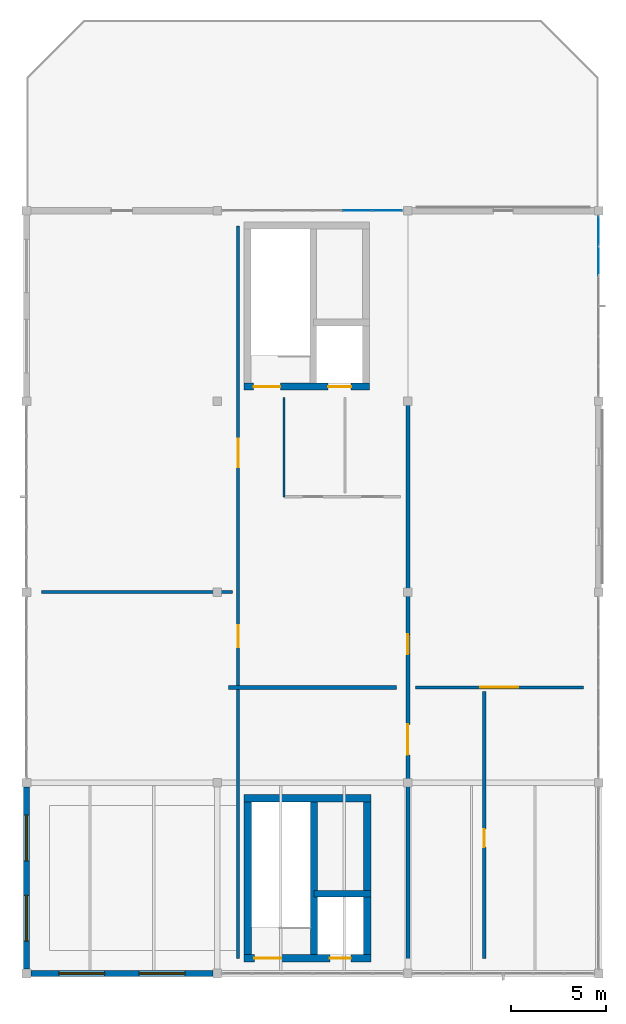
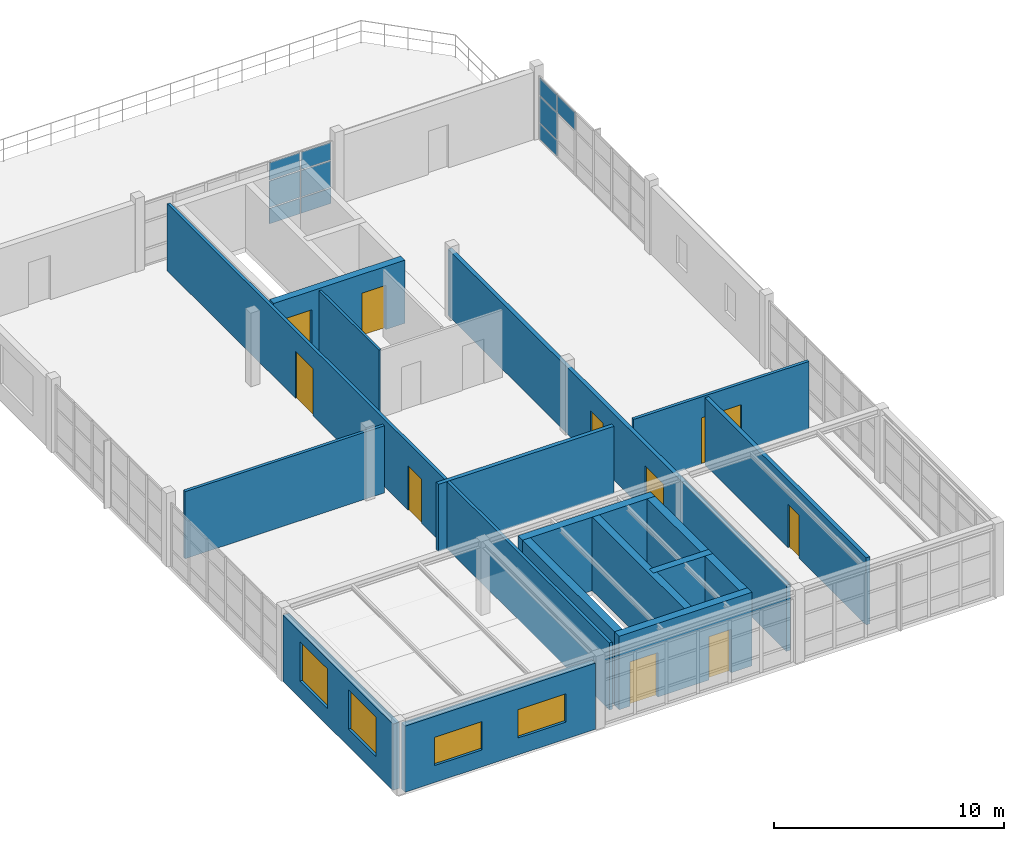
# One storey, part 9 of 11: 16 walls, 10 doors, 10 plates, 4 windows, 14 openings, 2 elements without a shape of their own.
"""IFC4 building model written with IfcOpenShell, lengths in metres."""

from ifc_helpers import new_model, si_unit, direction, frame, frame_2d, origin, origin_2d, place, context, subcontext, project, spatial, rectangle, extrude, material, layer, layer_set, type_object, element, fill, aggregate, save


model = new_model("IFC4")

# Units and contexts
model_context = context("Model", 3, precision=1e-05, world=origin(), true_north=direction((0.0, 1.0)))
body_context = subcontext(model_context, "Body", "Model", "MODEL_VIEW")
ifc_project = project(units=[si_unit("LENGTHUNIT", "METRE"), si_unit("AREAUNIT", "SQUARE_METRE"), si_unit("VOLUMEUNIT", "CUBIC_METRE"), si_unit("PLANEANGLEUNIT", "RADIAN"), si_unit("MASSUNIT", "GRAM", prefix="KILO"), si_unit("THERMODYNAMICTEMPERATUREUNIT", "KELVIN"), si_unit("POWERUNIT", "WATT")], contexts=[model_context])

# Site, building, storey
site_placement = place(None, origin())
site = spatial("IfcSite", under=ifc_project, at=site_placement, CompositionType="ELEMENT")
building_placement = place(site_placement, origin())
building = spatial("IfcBuilding", under=site, at=building_placement, Name="Korenveer Ferry Terminal", CompositionType="ELEMENT")
storey_placement = place(building_placement, frame((0.0, 0.0, 18.300048828125)))
storey = spatial("IfcBuildingStorey", under=building, at=storey_placement, Name="L04", CompositionType="ELEMENT", Elevation=18.300048828125)

# Curtain wall, plates
ifc_material_1 = material(Name="Unitised bronze-and-glass curtain wall", Category="glass")
ifc_layer_1 = layer(ifc_material_1, 0.159912109375)
ifc_layer_set_1 = layer_set([ifc_layer_1], Name="Unitised bronze-and-glass curtain wall")
curtain_wall_type = type_object("IfcCurtainWallType", Name="ENV-CW-131", PredefinedType="USERDEFINED", material=ifc_layer_set_1)
curtain_wall_1_placement = place(storey_placement, frame((10.2548828125, 60.0, 0.0)))
curtain_wall_1 = element("IfcCurtainWall", 1, at=curtain_wall_1_placement, inside=storey, type_object=curtain_wall_type, Name="Lancet curtain wall CWX-L04-X10-20-Y60-60", ObjectType="UNITISED CURTAIN WALL", PredefinedType="USERDEFINED")
ifc_material_2 = material(Name="Low-iron solar-control double glazing", Category="glass")
ifc_layer_2 = layer(ifc_material_2, 0.028076171875)
ifc_layer_set_2 = layer_set([ifc_layer_2], Name="Low-iron solar-control double glazing")
plate_type = type_object("IfcPlateType", Name="ENV-CWP-GLZ28", PredefinedType="CURTAIN_PANEL", material=ifc_layer_set_2)
plate_1_placement = place(storey_placement, frame((17.37255859375, 60.0, 0.059814453125), z_axis=(0.0, 0.0, 1.0), x_axis=(1.0, 0.0, 0.0)))
plate_1 = element("IfcPlate", 2, at=plate_1_placement, type_object=plate_type, Name="CW-131 panel 5.1", PredefinedType="CURTAIN_PANEL", context=body_context, shape_type="SweptSolid", body=[
    extrude(rectangle(XDim=1.521728515625, YDim=0.028076171875, at=origin_2d()), origin(), (0.0, 0.0, 1.0), 0.81005859375),
])
plate_2_placement = place(storey_placement, frame((17.37255859375, 60.0, 0.93017578125), z_axis=(0.0, 0.0, 1.0), x_axis=(1.0, 0.0, 0.0)))
plate_2 = element("IfcPlate", 3, at=plate_2_placement, type_object=plate_type, Name="CW-131 panel 5.2", PredefinedType="CURTAIN_PANEL", context=body_context, shape_type="SweptSolid", body=[
    extrude(rectangle(XDim=1.521728515625, YDim=0.028076171875, at=origin_2d()), origin(), (0.0, 0.0, 1.0), 1.389892578125),
])
plate_3_placement = place(storey_placement, frame((17.37255859375, 60.0, 2.3798828125), z_axis=(0.0, 0.0, 1.0), x_axis=(1.0, 0.0, 0.0)))
plate_3 = element("IfcPlate", 4, at=plate_3_placement, type_object=plate_type, Name="CW-131 panel 5.3", PredefinedType="CURTAIN_PANEL", context=body_context, shape_type="SweptSolid", body=[
    extrude(rectangle(XDim=1.521728515625, YDim=0.028076171875, at=origin_2d()), origin(), (0.0, 0.0, 1.0), 0.919921875),
])
plate_4_placement = place(storey_placement, frame((18.939208984375, 60.0, 0.059814453125), z_axis=(0.0, 0.0, 1.0), x_axis=(1.0, 0.0, 0.0)))
plate_4 = element("IfcPlate", 5, at=plate_4_placement, type_object=plate_type, Name="CW-131 panel 6.1", PredefinedType="CURTAIN_PANEL", context=body_context, shape_type="SweptSolid", body=[
    extrude(rectangle(XDim=1.49169921875, YDim=0.028076171875, at=origin_2d()), origin(), (0.0, 0.0, 1.0), 0.81005859375),
])
plate_5_placement = place(storey_placement, frame((18.939208984375, 60.0, 0.93017578125), z_axis=(0.0, 0.0, 1.0), x_axis=(1.0, 0.0, 0.0)))
plate_5 = element("IfcPlate", 6, at=plate_5_placement, type_object=plate_type, Name="CW-131 panel 6.2", PredefinedType="CURTAIN_PANEL", context=body_context, shape_type="SweptSolid", body=[
    extrude(rectangle(XDim=1.49169921875, YDim=0.028076171875, at=origin_2d()), origin(), (0.0, 0.0, 1.0), 1.389892578125),
])
plate_6_placement = place(storey_placement, frame((18.939208984375, 60.0, 2.3798828125), z_axis=(0.0, 0.0, 1.0), x_axis=(1.0, 0.0, 0.0)))
plate_6 = element("IfcPlate", 7, at=plate_6_placement, type_object=plate_type, Name="CW-131 panel 6.3", PredefinedType="CURTAIN_PANEL", context=body_context, shape_type="SweptSolid", body=[
    extrude(rectangle(XDim=1.49169921875, YDim=0.028076171875, at=origin_2d()), origin(), (0.0, 0.0, 1.0), 0.919921875),
])
aggregate(curtain_wall_1, [plate_1, plate_2, plate_3, plate_4, plate_5, plate_6])

curtain_wall_2_placement = place(storey_placement, frame((30.0, 59.7451171875, 0.0)))
curtain_wall_2 = element("IfcCurtainWall", 8, at=curtain_wall_2_placement, inside=storey, type_object=curtain_wall_type, Name="Lancet curtain wall CWX-L04-X30-30-Y50-60", ObjectType="UNITISED CURTAIN WALL", PredefinedType="USERDEFINED")
plate_7_placement = place(storey_placement, frame((30.0, 58.939208984375, 0.059814453125), z_axis=(0.0, 0.0, 1.0), x_axis=(0.0, -1.0, 0.0)))
plate_7 = element("IfcPlate", 9, at=plate_7_placement, type_object=plate_type, Name="CW-131 panel 1.1", PredefinedType="CURTAIN_PANEL", context=body_context, shape_type="SweptSolid", body=[
    extrude(rectangle(XDim=1.49169921875, YDim=0.028076171875, at=origin_2d()), origin(), (0.0, 0.0, 1.0), 0.81005859375),
])
plate_8_placement = place(storey_placement, frame((30.0, 58.939208984375, 0.93017578125), z_axis=(0.0, 0.0, 1.0), x_axis=(0.0, -1.0, 0.0)))
plate_8 = element("IfcPlate", 10, at=plate_8_placement, type_object=plate_type, Name="CW-131 panel 1.2", PredefinedType="CURTAIN_PANEL", context=body_context, shape_type="SweptSolid", body=[
    extrude(rectangle(XDim=1.49169921875, YDim=0.028076171875, at=origin_2d()), origin(), (0.0, 0.0, 1.0), 1.389892578125),
])
plate_9_placement = place(storey_placement, frame((30.0, 58.939208984375, 2.3798828125), z_axis=(0.0, 0.0, 1.0), x_axis=(0.0, -1.0, 0.0)))
plate_9 = element("IfcPlate", 11, at=plate_9_placement, type_object=plate_type, Name="CW-131 panel 1.3", PredefinedType="CURTAIN_PANEL", context=body_context, shape_type="SweptSolid", body=[
    extrude(rectangle(XDim=1.49169921875, YDim=0.028076171875, at=origin_2d()), origin(), (0.0, 0.0, 1.0), 0.919921875),
])
plate_10_placement = place(storey_placement, frame((30.0, 57.37255859375, 2.3798828125), z_axis=(0.0, 0.0, 1.0), x_axis=(0.0, -1.0, 0.0)))
plate_10 = element("IfcPlate", 12, at=plate_10_placement, type_object=plate_type, Name="CW-131 panel 2.3", PredefinedType="CURTAIN_PANEL", context=body_context, shape_type="SweptSolid", body=[
    extrude(rectangle(XDim=1.521728515625, YDim=0.028076171875, at=origin_2d()), origin(), (0.0, 0.0, 1.0), 0.919921875),
])
aggregate(curtain_wall_2, [plate_7, plate_8, plate_9, plate_10])

# Wall, openings, windows
ifc_material_3 = material(Name="Insulated zinc-clad cassette wall", Category="masonry")
ifc_layer_3 = layer(ifc_material_3, 0.320068359375)
ifc_layer_set_3 = layer_set([ifc_layer_3], Name="Insulated zinc-clad cassette wall")
wall_type_1 = type_object("IfcWallType", Name="ENV-WL-CLD320", PredefinedType="SOLIDWALL", material=ifc_layer_set_3)
wall_1_placement = place(storey_placement, frame((0.22509765625, 20.0, 0.0), z_axis=(0.0, 0.0, 1.0), x_axis=(1.0, 0.0, 0.0)))
wall_1 = element("IfcWall", 13, at=wall_1_placement, inside=storey, type_object=wall_type_1, Name="Exterior facade wall EWL-L04-074", PredefinedType="SOLIDWALL", context=body_context, shape_type="SweptSolid", body=[
    extrude(rectangle(XDim=9.5498046875, YDim=0.320068359375, at=frame_2d((4.77490234375, 0.0))), origin(), (0.0, 0.0, 1.0), 3.510009765625),
])
opening_1_placement = place(wall_1_placement, frame((1.47412109375, 0.0, 0.89990234375)))
opening_1 = element("IfcOpeningElement", 14, at=opening_1_placement, cuts=wall_1, Name="Opening WN-29", PredefinedType="OPENING", context=body_context, shape_type="SweptSolid", body=[
    extrude(rectangle(XDim=2.39990234375, YDim=1.5, at=frame_2d((1.199951171875, 0.75))), frame((0.0, 0.169921875, 0.0), z_axis=(0.0, -1.0, 0.0), x_axis=(1.0, 0.0, 0.0)), (0.0, 0.0, 1.0), 0.340087890625),
])
opening_2_placement = place(wall_1_placement, frame((5.676025390625, 0.0, 0.89990234375)))
opening_2 = element("IfcOpeningElement", 15, at=opening_2_placement, cuts=wall_1, Name="Opening WN-29", PredefinedType="OPENING", context=body_context, shape_type="SweptSolid", body=[
    extrude(rectangle(XDim=2.39990234375, YDim=1.5, at=frame_2d((1.199951171875, 0.75))), frame((0.0, 0.169921875, 0.0), z_axis=(0.0, -1.0, 0.0), x_axis=(1.0, 0.0, 0.0)), (0.0, 0.0, 1.0), 0.340087890625),
])
ifc_material_4 = material(Name="Low-iron triple glazing in bronze frame", Category="glass")
window_type_1 = type_object("IfcWindowType", Name="ENV-WN-29", PartitioningType="SINGLE_PANEL", PredefinedType="WINDOW", material=ifc_material_4)
window_1_placement = place(opening_1_placement, origin())
window_1 = element("IfcWindow", 16, at=window_1_placement, inside=storey, type_object=window_type_1, Name="Lancet facade window 93", OverallHeight=1.5, OverallWidth=2.39990234375, PartitioningType="SINGLE_PANEL", PredefinedType="WINDOW", context=body_context, shape_type="SweptSolid", body=[
    extrude(rectangle(XDim=2.39990234375, YDim=1.5, at=frame_2d((1.199951171875, 0.75))), frame((0.0, 0.030029296875, 0.0), z_axis=(0.0, -1.0, 0.0), x_axis=(1.0, 0.0, 0.0)), (0.0, 0.0, 1.0), 0.06005859375),
])
fill(opening_1, window_1)
window_2_placement = place(opening_2_placement, origin())
window_2 = element("IfcWindow", 17, at=window_2_placement, inside=storey, type_object=window_type_1, Name="Lancet facade window 94", OverallHeight=1.5, OverallWidth=2.39990234375, PartitioningType="SINGLE_PANEL", PredefinedType="WINDOW", context=body_context, shape_type="SweptSolid", body=[
    extrude(rectangle(XDim=2.39990234375, YDim=1.5, at=frame_2d((1.199951171875, 0.75))), frame((0.0, 0.030029296875, 0.0), z_axis=(0.0, -1.0, 0.0), x_axis=(1.0, 0.0, 0.0)), (0.0, 0.0, 1.0), 0.06005859375),
])
fill(opening_2, window_2)

wall_2_placement = place(storey_placement, frame((0.0, 20.22509765625, 0.0), z_axis=(0.0, 0.0, 1.0), x_axis=(0.0, 1.0, 0.0)))
wall_2 = element("IfcWall", 18, at=wall_2_placement, inside=storey, type_object=wall_type_1, Name="Exterior facade wall EWL-L04-077", PredefinedType="SOLIDWALL", context=body_context, shape_type="SweptSolid", body=[
    extrude(rectangle(XDim=9.5498046875, YDim=0.320068359375, at=frame_2d((4.77490234375, 0.0))), origin(), (0.0, 0.0, 1.0), 3.510009765625),
])
opening_3_placement = place(wall_2_placement, frame((1.47412109375, 0.0, 0.89990234375)))
opening_3 = element("IfcOpeningElement", 19, at=opening_3_placement, cuts=wall_2, Name="Opening WN-31", PredefinedType="OPENING", context=body_context, shape_type="SweptSolid", body=[
    extrude(rectangle(XDim=2.39990234375, YDim=2.10009765625, at=frame_2d((1.199951171875, 1.050048828125))), frame((0.0, 0.169921875, 0.0), z_axis=(0.0, -1.0, 0.0), x_axis=(1.0, 0.0, 0.0)), (0.0, 0.0, 1.0), 0.340087890625),
])
opening_4_placement = place(wall_2_placement, frame((5.676025390625, 0.0, 0.89990234375)))
opening_4 = element("IfcOpeningElement", 20, at=opening_4_placement, cuts=wall_2, Name="Opening WN-31", PredefinedType="OPENING", context=body_context, shape_type="SweptSolid", body=[
    extrude(rectangle(XDim=2.39990234375, YDim=2.10009765625, at=frame_2d((1.199951171875, 1.050048828125))), frame((0.0, 0.169921875, 0.0), z_axis=(0.0, -1.0, 0.0), x_axis=(1.0, 0.0, 0.0)), (0.0, 0.0, 1.0), 0.340087890625),
])
window_type_2 = type_object("IfcWindowType", Name="ENV-WN-31", PartitioningType="SINGLE_PANEL", PredefinedType="WINDOW", material=ifc_material_4)
window_3_placement = place(opening_3_placement, origin())
window_3 = element("IfcWindow", 21, at=window_3_placement, inside=storey, type_object=window_type_2, Name="Lancet facade window 95", OverallHeight=2.10009765625, OverallWidth=2.39990234375, PartitioningType="SINGLE_PANEL", PredefinedType="WINDOW", context=body_context, shape_type="SweptSolid", body=[
    extrude(rectangle(XDim=2.39990234375, YDim=2.10009765625, at=frame_2d((1.199951171875, 1.050048828125))), frame((0.0, 0.030029296875, 0.0), z_axis=(0.0, -1.0, 0.0), x_axis=(1.0, 0.0, 0.0)), (0.0, 0.0, 1.0), 0.06005859375),
])
fill(opening_3, window_3)
window_4_placement = place(opening_4_placement, origin())
window_4 = element("IfcWindow", 22, at=window_4_placement, inside=storey, type_object=window_type_2, Name="Lancet facade window 96", OverallHeight=2.10009765625, OverallWidth=2.39990234375, PartitioningType="SINGLE_PANEL", PredefinedType="WINDOW", context=body_context, shape_type="SweptSolid", body=[
    extrude(rectangle(XDim=2.39990234375, YDim=2.10009765625, at=frame_2d((1.199951171875, 1.050048828125))), frame((0.0, 0.030029296875, 0.0), z_axis=(0.0, -1.0, 0.0), x_axis=(1.0, 0.0, 0.0)), (0.0, 0.0, 1.0), 0.06005859375),
])
fill(opening_4, window_4)

# Wall, openings, doors
ifc_material_5 = material(Name="Acoustic fire-rated twin-stud partition", Category="other")
ifc_layer_4 = layer(ifc_material_5, 0.199951171875)
ifc_layer_set_4 = layer_set([ifc_layer_4], Name="Acoustic fire-rated twin-stud partition")
wall_type_2 = type_object("IfcWallType", Name="INT-WL-COMP200", PredefinedType="PARTITIONING", material=ifc_layer_set_4)
wall_3_placement = place(storey_placement, frame((20.0, 20.800048828125, 0.0), z_axis=(0.0, 0.0, 1.0), x_axis=(0.0, 1.0, 0.0)))
wall_3 = element("IfcWall", 23, at=wall_3_placement, inside=storey, type_object=wall_type_2, Name="Interior partition PWL-L04-059", PredefinedType="PARTITIONING", context=body_context, shape_type="SweptSolid", body=[
    extrude(rectangle(XDim=29.39990234375, YDim=0.199951171875, at=frame_2d((14.699951171875, 0.0))), origin(), (0.0, 0.0, 1.0), 3.510009765625),
])
opening_5_placement = place(wall_3_placement, frame((10.666015625, 0.0, 0.0)))
opening_5 = element("IfcOpeningElement", 24, at=opening_5_placement, cuts=wall_3, Name="Opening ID-072", PredefinedType="OPENING", context=body_context, shape_type="SweptSolid", body=[
    extrude(rectangle(XDim=1.60009765625, YDim=2.39990234375, at=frame_2d((0.800048828125, 1.199951171875))), frame((0.0, 0.10986328125, 0.0), z_axis=(0.0, -1.0, 0.0), x_axis=(1.0, 0.0, 0.0)), (0.0, 0.0, 1.0), 0.219970703125),
])
opening_6_placement = place(wall_3_placement, frame((15.93896484375, 0.0, 0.0)))
opening_6 = element("IfcOpeningElement", 25, at=opening_6_placement, cuts=wall_3, Name="Opening ID-073", PredefinedType="OPENING", context=body_context, shape_type="SweptSolid", body=[
    extrude(rectangle(XDim=1.050048828125, YDim=2.449951171875, at=frame_2d((0.52490234375, 1.22509765625))), frame((0.0, 0.10986328125, 0.0), z_axis=(0.0, -1.0, 0.0), x_axis=(1.0, 0.0, 0.0)), (0.0, 0.0, 1.0), 0.219970703125),
])
ifc_material_6 = material(Name="Solid hardwood and steel acoustic door", Category="steel")
door_type_1 = type_object("IfcDoorType", Name="INT-DR-FFL160", OperationType="DOUBLE_DOOR_SINGLE_SWING", PredefinedType="DOOR", material=ifc_material_6)
door_1_placement = place(opening_5_placement, origin())
door_1 = element("IfcDoor", 26, at=door_1_placement, inside=storey, type_object=door_type_1, Name="L04 West Firefighting Lobby Door", OperationType="DOUBLE_DOOR_SINGLE_SWING", OverallHeight=2.39990234375, OverallWidth=1.60009765625, PredefinedType="DOOR", context=body_context, shape_type="SweptSolid", body=[
    extrude(rectangle(XDim=1.60009765625, YDim=2.39990234375, at=frame_2d((0.800048828125, 1.199951171875))), frame((0.0, 0.02490234375, 0.0), z_axis=(0.0, -1.0, 0.0), x_axis=(1.0, 0.0, 0.0)), (0.0, 0.0, 1.0), 0.050048828125),
])
fill(opening_5, door_1)
door_type_2 = type_object("IfcDoorType", Name="INT-DR-RM105B", OperationType="NOTDEFINED", PredefinedType="DOOR", material=ifc_material_6)
door_2_placement = place(opening_6_placement, origin())
door_2 = element("IfcDoor", 27, at=door_2_placement, inside=storey, type_object=door_type_2, Name="Maritime Archive Chart Room Door", OperationType="SINGLE_SWING_LEFT", OverallHeight=2.449951171875, OverallWidth=1.050048828125, PredefinedType="DOOR", context=body_context, shape_type="SweptSolid", body=[
    extrude(rectangle(XDim=1.050048828125, YDim=2.449951171875, at=frame_2d((0.52490234375, 1.22509765625))), frame((0.0, 0.02490234375, 0.0), z_axis=(0.0, -1.0, 0.0), x_axis=(1.0, 0.0, 0.0)), (0.0, 0.0, 1.0), 0.050048828125),
])
fill(opening_6, door_2)

# Wall
wall_4_placement = place(storey_placement, frame((10.60009765625, 35.0, 0.0), z_axis=(0.0, 0.0, 1.0), x_axis=(1.0, 0.0, 0.0)))
element("IfcWall", 28, at=wall_4_placement, inside=storey, type_object=wall_type_2, Name="Interior partition PWL-L04-062", PredefinedType="PARTITIONING", context=body_context, shape_type="SweptSolid", body=[
    extrude(rectangle(XDim=8.7998046875, YDim=0.199951171875, at=frame_2d((4.39990234375, 0.0))), origin(), (0.0, 0.0, 1.0), 3.56005859375),
])

# Wall, opening, door
wall_5_placement = place(storey_placement, frame((24.0, 20.800048828125, 0.0), z_axis=(0.0, 0.0, 1.0), x_axis=(0.0, 1.0, 0.0)))
wall_5 = element("IfcWall", 29, at=wall_5_placement, inside=storey, type_object=wall_type_2, Name="Interior partition PWL-L04-066", PredefinedType="PARTITIONING", context=body_context, shape_type="SweptSolid", body=[
    extrude(rectangle(XDim=14.0, YDim=0.199951171875, at=frame_2d((7.0, 0.0))), origin(), (0.0, 0.0, 1.0), 3.56005859375),
])
opening_7_placement = place(wall_5_placement, frame((5.824951171875, 0.0, 0.0)))
opening_7 = element("IfcOpeningElement", 30, at=opening_7_placement, cuts=wall_5, Name="Opening ID-078", PredefinedType="OPENING", context=body_context, shape_type="SweptSolid", body=[
    extrude(rectangle(XDim=0.949951171875, YDim=2.300048828125, at=frame_2d((0.47509765625, 1.14990234375))), frame((0.0, 0.10986328125, 0.0), z_axis=(0.0, -1.0, 0.0), x_axis=(1.0, 0.0, 0.0)), (0.0, 0.0, 1.0), 0.219970703125),
])
door_type_3 = type_object("IfcDoorType", Name="INT-DR-RM095A", OperationType="NOTDEFINED", PredefinedType="DOOR", material=ifc_material_6)
door_3_placement = place(opening_7_placement, origin())
door_3 = element("IfcDoor", 31, at=door_3_placement, inside=storey, type_object=door_type_3, Name="Navigation Radar Room Door", OperationType="SINGLE_SWING_LEFT", OverallHeight=2.300048828125, OverallWidth=0.949951171875, PredefinedType="DOOR", context=body_context, shape_type="SweptSolid", body=[
    extrude(rectangle(XDim=0.949951171875, YDim=2.300048828125, at=frame_2d((0.47509765625, 1.14990234375))), frame((0.0, 0.02490234375, 0.0), z_axis=(0.0, -1.0, 0.0), x_axis=(1.0, 0.0, 0.0)), (0.0, 0.0, 1.0), 0.050048828125),
])
fill(opening_7, door_3)

# Walls
ifc_material_7 = material(Name="Concrete C45/55", Category="concrete")
ifc_layer_5 = layer(ifc_material_7, 0.360107421875)
ifc_layer_set_5 = layer_set([ifc_layer_5], Name="Concrete C45/55")
wall_type_3 = type_object("IfcWallType", Name="INT-WL-CORE360", PredefinedType="SHEAR", material=ifc_layer_set_5)
wall_6_placement = place(storey_placement, frame((15.080078125, 20.60009765625, 0.0), z_axis=(0.0, 0.0, 1.0), x_axis=(0.0, 1.0, 0.0)))
element("IfcWall", 32, at=wall_6_placement, inside=storey, type_object=wall_type_3, Name="West Firefighting Core K1 shaft divider wall L04", PredefinedType="SHEAR", context=body_context, shape_type="SweptSolid", body=[
    extrude(rectangle(XDim=8.7998046875, YDim=0.360107421875, at=frame_2d((4.39990234375, 0.0))), origin(), (0.0, 0.0, 1.0), 3.89990234375),
])
wall_7_placement = place(storey_placement, frame((15.080078125, 24.179931640625, 0.0), z_axis=(0.0, 0.0, 1.0), x_axis=(1.0, 0.0, 0.0)))
element("IfcWall", 33, at=wall_7_placement, inside=storey, type_object=wall_type_3, Name="West Firefighting Core K1 lift shaft wall L04", PredefinedType="SHEAR", context=body_context, shape_type="SweptSolid", body=[
    extrude(rectangle(XDim=2.97998046875, YDim=0.360107421875, at=frame_2d((1.489990234375, 0.0))), origin(), (0.0, 0.0, 1.0), 3.89990234375),
])

# Wall, openings, doors
wall_8_placement = place(storey_placement, frame((11.39990234375, 50.780029296875, 0.0), z_axis=(0.0, 0.0, 1.0), x_axis=(1.0, 0.0, 0.0)))
wall_8 = element("IfcWall", 34, at=wall_8_placement, inside=storey, type_object=wall_type_3, Name="West Operations Core K2 south shear wall L04", PredefinedType="SHEAR", context=body_context, shape_type="SweptSolid", body=[
    extrude(rectangle(XDim=6.580078125, YDim=0.360107421875, at=frame_2d((3.2900390625, 0.0))), origin(), (0.0, 0.0, 1.0), 3.349853515625),
])
opening_8_placement = place(wall_8_placement, frame((0.510009765625, 0.0, 0.0)))
opening_8 = element("IfcOpeningElement", 35, at=opening_8_placement, cuts=wall_8, Name="Opening SD-10", PredefinedType="OPENING", context=body_context, shape_type="SweptSolid", body=[
    extrude(rectangle(XDim=1.39990234375, YDim=2.35009765625, at=frame_2d((0.699951171875, 1.175048828125))), frame((0.0, 0.18994140625, 0.0), z_axis=(0.0, -1.0, 0.0), x_axis=(1.0, 0.0, 0.0)), (0.0, 0.0, 1.0), 0.380126953125),
])
opening_9_placement = place(wall_8_placement, frame((4.419921875, 0.0, 0.0)))
opening_9 = element("IfcOpeningElement", 36, at=opening_9_placement, cuts=wall_8, Name="Opening LD-10", PredefinedType="OPENING", context=body_context, shape_type="SweptSolid", body=[
    extrude(rectangle(XDim=1.199951171875, YDim=2.35009765625, at=frame_2d((0.60009765625, 1.175048828125))), frame((0.0, 0.18994140625, 0.0), z_axis=(0.0, -1.0, 0.0), x_axis=(1.0, 0.0, 0.0)), (0.0, 0.0, 1.0), 0.380126953125),
])
door_type_4 = type_object("IfcDoorType", Name="INT-DR-LD120", OperationType="SLIDING_TO_LEFT", PredefinedType="DOOR", material=ifc_material_6)
door_4_placement = place(opening_9_placement, origin())
door_4 = element("IfcDoor", 37, at=door_4_placement, inside=storey, type_object=door_type_4, Name="Lift LP1 Sliding Landing Door L04", OperationType="SLIDING_TO_LEFT", OverallHeight=2.35009765625, OverallWidth=1.199951171875, PredefinedType="DOOR", context=body_context, shape_type="SweptSolid", body=[
    extrude(rectangle(XDim=1.199951171875, YDim=2.35009765625, at=frame_2d((0.60009765625, 1.175048828125))), frame((0.0, 0.02490234375, 0.0), z_axis=(0.0, -1.0, 0.0), x_axis=(1.0, 0.0, 0.0)), (0.0, 0.0, 1.0), 0.050048828125),
])
fill(opening_9, door_4)
door_type_5 = type_object("IfcDoorType", Name="INT-DR-ST140", OperationType="NOTDEFINED", PredefinedType="DOOR", material=ifc_material_6)
door_5_placement = place(opening_8_placement, origin())
door_5 = element("IfcDoor", 38, at=door_5_placement, inside=storey, type_object=door_type_5, Name="ST02 Stair Door L04", OperationType="SINGLE_SWING_RIGHT", OverallHeight=2.35009765625, OverallWidth=1.39990234375, PredefinedType="DOOR", context=body_context, shape_type="SweptSolid", body=[
    extrude(rectangle(XDim=1.39990234375, YDim=2.35009765625, at=frame_2d((0.699951171875, 1.175048828125))), frame((0.0, 0.02490234375, 0.0), z_axis=(0.0, -1.0, 0.0), x_axis=(1.0, 0.0, 0.0)), (0.0, 0.0, 1.0), 0.050048828125),
])
fill(opening_8, door_5)

ifc_layer_6 = layer(ifc_material_7, 0.39990234375)
ifc_layer_set_6 = layer_set([ifc_layer_6], Name="Concrete C45/55")
wall_type_4 = type_object("IfcWallType", Name="INT-WL-CORE400", PredefinedType="SHEAR", material=ifc_layer_set_6)
wall_9_placement = place(storey_placement, frame((11.39990234375, 20.800048828125, 0.0), z_axis=(0.0, 0.0, 1.0), x_axis=(1.0, 0.0, 0.0)))
wall_9 = element("IfcWall", 39, at=wall_9_placement, inside=storey, type_object=wall_type_4, Name="West Firefighting Core K1 south shear wall L04", PredefinedType="SHEAR", context=body_context, shape_type="SweptSolid", body=[
    extrude(rectangle(XDim=6.66015625, YDim=0.39990234375, at=frame_2d((3.330078125, 0.0))), origin(), (0.0, 0.0, 1.0), 3.89990234375),
])
opening_10_placement = place(wall_9_placement, frame((0.550048828125, 0.0, 0.0)))
opening_10 = element("IfcOpeningElement", 40, at=opening_10_placement, cuts=wall_9, Name="Opening SD-05", PredefinedType="OPENING", context=body_context, shape_type="SweptSolid", body=[
    extrude(rectangle(XDim=1.39990234375, YDim=2.35009765625, at=frame_2d((0.699951171875, 1.175048828125))), frame((0.0, 0.2099609375, 0.0), z_axis=(0.0, -1.0, 0.0), x_axis=(1.0, 0.0, 0.0)), (0.0, 0.0, 1.0), 0.419921875),
])
opening_11_placement = place(wall_9_placement, frame((4.510009765625, 0.0, 0.0)))
opening_11 = element("IfcOpeningElement", 41, at=opening_11_placement, cuts=wall_9, Name="Opening LD-05", PredefinedType="OPENING", context=body_context, shape_type="SweptSolid", body=[
    extrude(rectangle(XDim=1.10009765625, YDim=2.300048828125, at=frame_2d((0.550048828125, 1.14990234375))), frame((0.0, 0.2099609375, 0.0), z_axis=(0.0, -1.0, 0.0), x_axis=(1.0, 0.0, 0.0)), (0.0, 0.0, 1.0), 0.419921875),
])
door_type_6 = type_object("IfcDoorType", Name="INT-DR-LD110", OperationType="SLIDING_TO_LEFT", PredefinedType="DOOR", material=ifc_material_6)
door_6_placement = place(opening_11_placement, origin())
door_6 = element("IfcDoor", 42, at=door_6_placement, inside=storey, type_object=door_type_6, Name="Lift FL1 Sliding Landing Door L04", OperationType="SLIDING_TO_LEFT", OverallHeight=2.300048828125, OverallWidth=1.10009765625, PredefinedType="DOOR", context=body_context, shape_type="SweptSolid", body=[
    extrude(rectangle(XDim=1.10009765625, YDim=2.300048828125, at=frame_2d((0.550048828125, 1.14990234375))), frame((0.0, 0.02490234375, 0.0), z_axis=(0.0, -1.0, 0.0), x_axis=(1.0, 0.0, 0.0)), (0.0, 0.0, 1.0), 0.050048828125),
])
fill(opening_11, door_6)
door_7_placement = place(opening_10_placement, origin())
door_7 = element("IfcDoor", 43, at=door_7_placement, inside=storey, type_object=door_type_5, Name="ST01 Stair Door L04", OperationType="SINGLE_SWING_LEFT", OverallHeight=2.35009765625, OverallWidth=1.39990234375, PredefinedType="DOOR", context=body_context, shape_type="SweptSolid", body=[
    extrude(rectangle(XDim=1.39990234375, YDim=2.35009765625, at=frame_2d((0.699951171875, 1.175048828125))), frame((0.0, 0.02490234375, 0.0), z_axis=(0.0, -1.0, 0.0), x_axis=(1.0, 0.0, 0.0)), (0.0, 0.0, 1.0), 0.050048828125),
])
fill(opening_10, door_7)

# Walls
wall_10_placement = place(storey_placement, frame((11.39990234375, 29.199951171875, 0.0), z_axis=(0.0, 0.0, 1.0), x_axis=(1.0, 0.0, 0.0)))
element("IfcWall", 44, at=wall_10_placement, inside=storey, type_object=wall_type_4, Name="West Firefighting Core K1 north shear wall L04", PredefinedType="SHEAR", context=body_context, shape_type="SweptSolid", body=[
    extrude(rectangle(XDim=6.66015625, YDim=0.39990234375, at=frame_2d((3.330078125, 0.0))), origin(), (0.0, 0.0, 1.0), 3.89990234375),
])
for number, where, z_axis, x_axis, name in (
    (45, (11.60009765625, 20.60009765625, 0.0), (0.0, 0.0, 1.0), (0.0, 1.0, 0.0), "West Firefighting Core K1 west shear wall L04"),
    (46, (17.860107421875, 20.60009765625, 0.0), (0.0, 0.0, 1.0), (0.0, 1.0, 0.0), "West Firefighting Core K1 east shear wall L04"),
):
    element("IfcWall", number, at=place(storey_placement, frame(where, z_axis=z_axis, x_axis=x_axis)), inside=storey, type_object=wall_type_4, Name=name, PredefinedType="SHEAR", context=body_context, shape_type="SweptSolid", body=[
        extrude(rectangle(XDim=8.7998046875, YDim=0.39990234375, at=frame_2d((4.39990234375, 0.0))), origin(), (0.0, 0.0, 1.0), 3.89990234375),
    ])
ifc_material_8 = material(Name="Lightweight wet-room stud partition", Category="other")
ifc_layer_7 = layer(ifc_material_8, 0.1201171875)
ifc_layer_set_7 = layer_set([ifc_layer_7], Name="Lightweight wet-room stud partition")
wall_type_5 = type_object("IfcWallType", Name="INT-WL-PART120", PredefinedType="PARTITIONING", material=ifc_layer_set_7)
wall_11_placement = place(storey_placement, frame((13.5, 45.0, 0.0), z_axis=(0.0, 0.0, 1.0), x_axis=(0.0, 1.0, 0.0)))
element("IfcWall", 47, at=wall_11_placement, inside=storey, type_object=wall_type_5, Name="Interior partition PWL-L04-064", PredefinedType="PARTITIONING", context=body_context, shape_type="SweptSolid", body=[
    extrude(rectangle(XDim=5.199951171875, YDim=0.1201171875, at=frame_2d((2.60009765625, 0.0))), origin(), (0.0, 0.0, 1.0), 3.56005859375),
])

# Wall, openings, doors
ifc_material_9 = material(Name="Acoustic gypsum board stud partition", Category="other")
ifc_layer_8 = layer(ifc_material_9, 0.14990234375)
ifc_layer_set_8 = layer_set([ifc_layer_8], Name="Acoustic gypsum board stud partition")
wall_type_6 = type_object("IfcWallType", Name="INT-WL-PART150", PredefinedType="PARTITIONING", material=ifc_layer_set_8)
wall_12_placement = place(storey_placement, frame((11.10009765625, 20.800048828125, 0.0), z_axis=(0.0, 0.0, 1.0), x_axis=(0.0, 1.0, 0.0)))
wall_12 = element("IfcWall", 48, at=wall_12_placement, inside=storey, type_object=wall_type_6, Name="Interior partition PWL-L04-060", PredefinedType="PARTITIONING", context=body_context, shape_type="SweptSolid", body=[
    extrude(rectangle(XDim=38.39990234375, YDim=0.14990234375, at=frame_2d((19.199951171875, 0.0))), origin(), (0.0, 0.0, 1.0), 3.56005859375),
])
opening_12_placement = place(wall_12_placement, frame((16.321044921875, 0.0, 0.0)))
opening_12 = element("IfcOpeningElement", 49, at=opening_12_placement, cuts=wall_12, Name="Opening ID-074", PredefinedType="OPENING", context=body_context, shape_type="SweptSolid", body=[
    extrude(rectangle(XDim=1.14990234375, YDim=2.35009765625, at=frame_2d((0.574951171875, 1.175048828125))), frame((0.0, 0.0849609375, 0.0), z_axis=(0.0, -1.0, 0.0), x_axis=(1.0, 0.0, 0.0)), (0.0, 0.0, 1.0), 0.169921875),
])
opening_13_placement = place(wall_12_placement, frame((25.74609375, 0.0, 0.0)))
opening_13 = element("IfcOpeningElement", 50, at=opening_13_placement, cuts=wall_12, Name="Opening ID-075", PredefinedType="OPENING", context=body_context, shape_type="SweptSolid", body=[
    extrude(rectangle(XDim=1.5, YDim=2.5, at=frame_2d((0.75, 1.25))), frame((0.0, 0.0849609375, 0.0), z_axis=(0.0, -1.0, 0.0), x_axis=(1.0, 0.0, 0.0)), (0.0, 0.0, 1.0), 0.169921875),
])
door_type_7 = type_object("IfcDoorType", Name="INT-DR-RM115A", OperationType="NOTDEFINED", PredefinedType="DOOR", material=ifc_material_6)
door_8_placement = place(opening_12_placement, origin())
door_8 = element("IfcDoor", 51, at=door_8_placement, inside=storey, type_object=door_type_7, Name="Harbour Master Office Door", OperationType="SINGLE_SWING_RIGHT", OverallHeight=2.35009765625, OverallWidth=1.14990234375, PredefinedType="DOOR", context=body_context, shape_type="SweptSolid", body=[
    extrude(rectangle(XDim=1.14990234375, YDim=2.35009765625, at=frame_2d((0.574951171875, 1.175048828125))), frame((0.0, 0.02490234375, 0.0), z_axis=(0.0, -1.0, 0.0), x_axis=(1.0, 0.0, 0.0)), (0.0, 0.0, 1.0), 0.050048828125),
])
fill(opening_12, door_8)
door_type_8 = type_object("IfcDoorType", Name="INT-DR-VIP150U", OperationType="DOUBLE_DOOR_SINGLE_SWING", PredefinedType="DOOR", material=ifc_material_6)
door_9_placement = place(opening_13_placement, origin())
door_9 = element("IfcDoor", 52, at=door_9_placement, inside=storey, type_object=door_type_8, Name="VTS Port Control Bridge Door", OperationType="DOUBLE_DOOR_SINGLE_SWING", OverallHeight=2.5, OverallWidth=1.5, PredefinedType="DOOR", context=body_context, shape_type="SweptSolid", body=[
    extrude(rectangle(XDim=1.5, YDim=2.5, at=frame_2d((0.75, 1.25))), frame((0.0, 0.02490234375, 0.0), z_axis=(0.0, -1.0, 0.0), x_axis=(1.0, 0.0, 0.0)), (0.0, 0.0, 1.0), 0.050048828125),
])
fill(opening_13, door_9)

# Wall
wall_13_placement = place(storey_placement, frame((0.800048828125, 40.0, 0.0), z_axis=(0.0, 0.0, 1.0), x_axis=(1.0, 0.0, 0.0)))
element("IfcWall", 53, at=wall_13_placement, inside=storey, type_object=wall_type_6, Name="Interior partition PWL-L04-061", PredefinedType="PARTITIONING", context=body_context, shape_type="SweptSolid", body=[
    extrude(rectangle(XDim=10.0, YDim=0.14990234375, at=frame_2d((5.0, 0.0))), origin(), (0.0, 0.0, 1.0), 3.56005859375),
])

# Wall, opening, door
wall_14_placement = place(storey_placement, frame((20.39990234375, 35.0, 0.0), z_axis=(0.0, 0.0, 1.0), x_axis=(1.0, 0.0, 0.0)))
wall_14 = element("IfcWall", 54, at=wall_14_placement, inside=storey, type_object=wall_type_6, Name="Interior partition PWL-L04-067", PredefinedType="PARTITIONING", context=body_context, shape_type="SweptSolid", body=[
    extrude(rectangle(XDim=8.800048828125, YDim=0.14990234375, at=frame_2d((4.39990234375, 0.0))), origin(), (0.0, 0.0, 1.0), 3.56005859375),
])
opening_14_placement = place(wall_14_placement, frame((3.39990234375, 0.0, 0.0)))
opening_14 = element("IfcOpeningElement", 55, at=opening_14_placement, cuts=wall_14, Name="Opening ID-079", PredefinedType="OPENING", context=body_context, shape_type="SweptSolid", body=[
    extrude(rectangle(XDim=2.0, YDim=2.449951171875, at=frame_2d((1.0, 1.22509765625))), frame((0.0, 0.0849609375, 0.0), z_axis=(0.0, -1.0, 0.0), x_axis=(1.0, 0.0, 0.0)), (0.0, 0.0, 1.0), 0.169921875),
])
door_type_9 = type_object("IfcDoorType", Name="INT-DR-CON200U", OperationType="DOUBLE_DOOR_SINGLE_SWING", PredefinedType="DOOR", material=ifc_material_6)
door_10_placement = place(opening_14_placement, origin())
door_10 = element("IfcDoor", 56, at=door_10_placement, inside=storey, type_object=door_type_9, Name="Harbour Observation Gallery Entry", OperationType="DOUBLE_DOOR_SINGLE_SWING", OverallHeight=2.449951171875, OverallWidth=2.0, PredefinedType="DOOR", context=body_context, shape_type="SweptSolid", body=[
    extrude(rectangle(XDim=2.0, YDim=2.449951171875, at=frame_2d((1.0, 1.22509765625))), frame((0.0, 0.02490234375, 0.0), z_axis=(0.0, -1.0, 0.0), x_axis=(1.0, 0.0, 0.0)), (0.0, 0.0, 1.0), 0.050048828125),
])
fill(opening_14, door_10)

save(model, "model.ifc")
